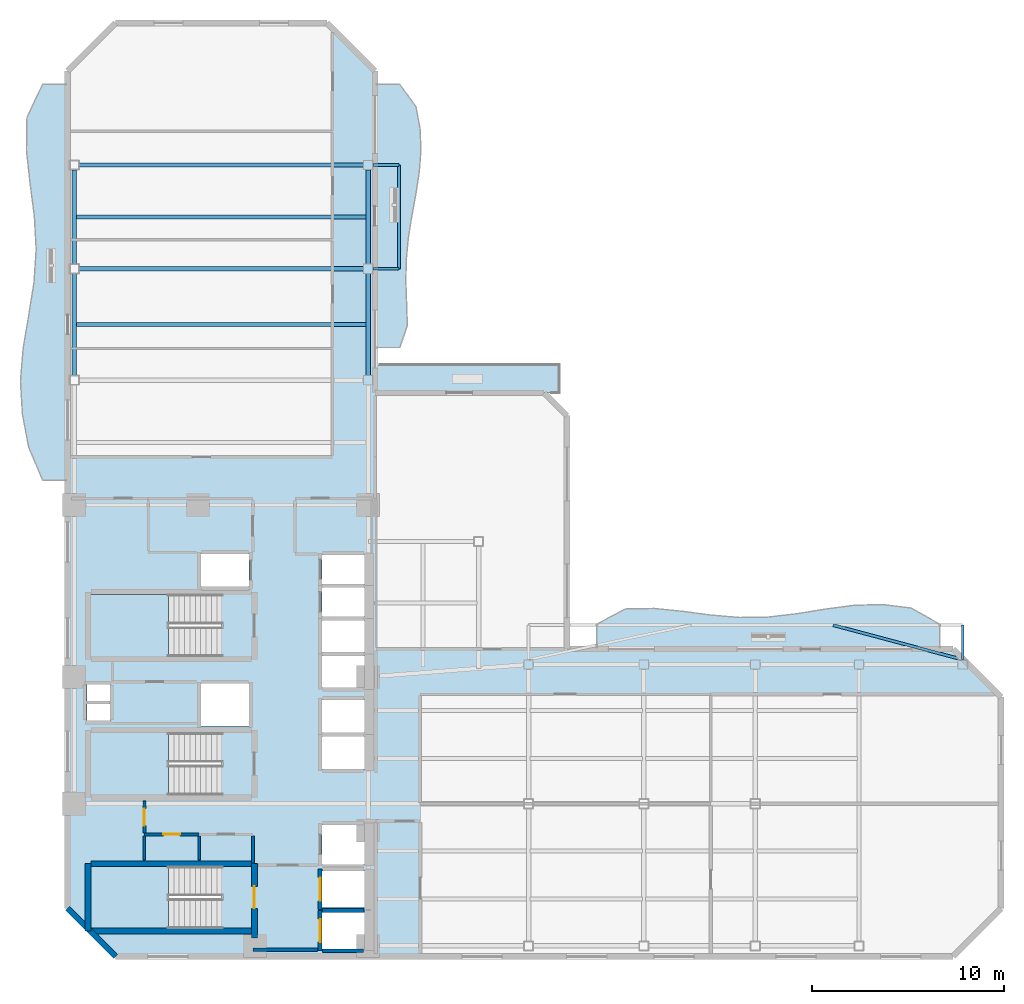
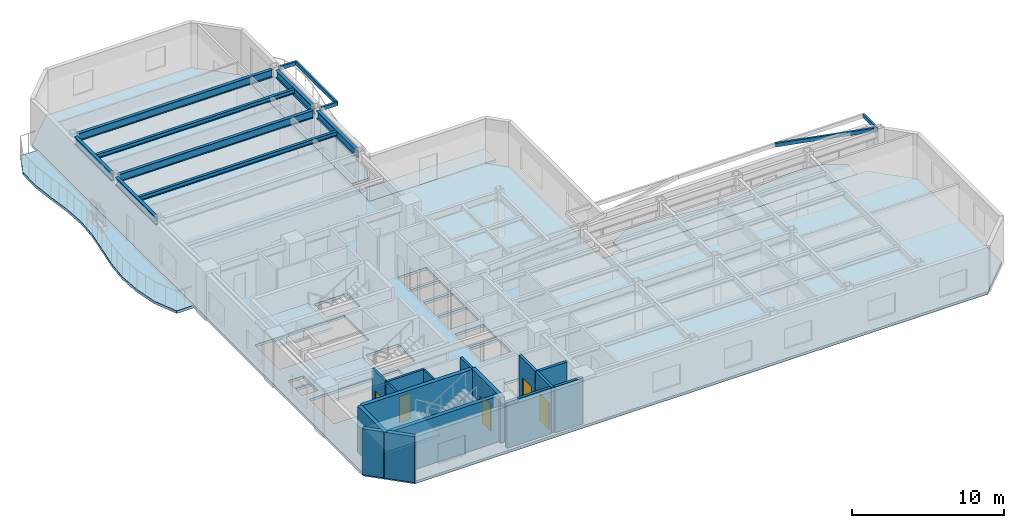
# One storey, part 2 of 9: 15 walls, 13 beams, 8 slabs, 5 doors, 5 openings, 3 elements without a shape of their own.
"""IFC4 building model written with IfcOpenShell, lengths in metres."""

from ifc_helpers import new_model, si_unit, direction, frame, frame_2d, origin, origin_2d, place, context, subcontext, project, spatial, polyline, rectangle, hollow_rectangle, i_section, outline, extrude, material, layer, layer_set, material_profile, profile_set, type_object, element, fill, aggregate, save


model = new_model("IFC4")

# Units and contexts
model_context = context("Model", 3, precision=1e-05, world=origin(), true_north=direction((0.0, 1.0)))
body_context = subcontext(model_context, "Body", "Model", "MODEL_VIEW")
ifc_project = project(units=[si_unit("LENGTHUNIT", "METRE"), si_unit("AREAUNIT", "SQUARE_METRE"), si_unit("VOLUMEUNIT", "CUBIC_METRE"), si_unit("PLANEANGLEUNIT", "RADIAN"), si_unit("MASSUNIT", "GRAM", prefix="KILO")], contexts=[model_context])

# Site, building, storey
site_placement = place(None, origin())
site = spatial("IfcSite", under=ifc_project, at=site_placement, CompositionType="ELEMENT")
building_placement = place(site_placement, origin())
building = spatial("IfcBuilding", under=site, at=building_placement, Name="Mawjaban Terraces University", CompositionType="ELEMENT")
storey_placement = place(building_placement, frame((0.0, 0.0, 115.10009765625)))
storey = spatial("IfcBuildingStorey", under=building, at=storey_placement, Name="L27", CompositionType="ELEMENT", Elevation=115.10009765625)

# Beams
ifc_material_1 = material(Name="Steel EN 10210-1 S355J2H", Category="steel")
ifc_material_profile_1 = material_profile(ifc_material_1, hollow_rectangle(XDim=0.14990234375, YDim=0.300048828125, WallThickness=0.012451171875, at=origin_2d()), Name="RHS300X150X12.5")
ifc_profile_set_1 = profile_set([ifc_material_profile_1], Name="Steel EN 10210-1 S355J2H")
beam_type_1 = type_object("IfcBeamType", Name="BalconyCantileverSpandrel_RHS", PredefinedType="SPANDREL", material=ifc_profile_set_1)
beam_1_placement = place(storey_placement, frame((68.60009765625, 15.449951171875, 3.539794921875), z_axis=(0.0, 1.0, 0.0), x_axis=(-1.0, 0.0, 0.0)))
element("IfcBeam", 1, at=beam_1_placement, inside=storey, type_object=beam_type_1, Name="L27 Exterior Outrigger BAL-L28-N.2", PredefinedType="SPANDREL", context=body_context, shape_type="SweptSolid", body=[
    extrude(hollow_rectangle(XDim=0.14990234375, YDim=0.300048828125, WallThickness=0.012451171875, at=origin_2d()), origin(), (0.0, 0.0, 1.0), 1.800048828125),
])
beam_2_placement = place(storey_placement, frame((68.60009765625, 15.449951171875, 3.539794921875), z_axis=(-0.966223916386, 0.257703984066, 0.0), x_axis=(-0.257703984066, -0.966223916386, 0.0)))
element("IfcBeam", 2, at=beam_2_placement, inside=storey, type_object=beam_type_1, Name="L27 Exterior Diagonal Strut BAL-L28-N.2", PredefinedType="SPANDREL", context=body_context, shape_type="SweptSolid", body=[
    extrude(hollow_rectangle(XDim=0.14990234375, YDim=0.300048828125, WallThickness=0.012451171875, at=origin_2d()), origin(), (0.0, 0.0, 1.0), 6.98486328125),
])
for number, where, z_axis, x_axis, name in (
    (3, (37.89990234375, 35.800048828125, 3.539794921875), (1.0, 0.0, 0.0), (0.0, 1.0, 0.0), "L27 Exterior Outrigger BAL-L28-E.1"),
    (4, (37.89990234375, 41.199951171875, 3.539794921875), (1.0, 0.0, 0.0), (0.0, 1.0, 0.0), "L27 Exterior Outrigger BAL-L28-E.2"),
):
    element("IfcBeam", number, at=place(storey_placement, frame(where, z_axis=z_axis, x_axis=x_axis)), inside=storey, type_object=beam_type_1, Name=name, PredefinedType="SPANDREL", context=body_context, shape_type="SweptSolid", body=[
        extrude(hollow_rectangle(XDim=0.14990234375, YDim=0.300048828125, WallThickness=0.012451171875, at=origin_2d()), origin(), (0.0, 0.0, 1.0), 1.35009765625),
    ])
beam_3_placement = place(storey_placement, frame((39.25, 35.800048828125, 3.539794921875), z_axis=(0.0, 1.0, 0.0), x_axis=(-1.0, 0.0, 0.0)))
element("IfcBeam", 5, at=beam_3_placement, inside=storey, type_object=beam_type_1, Name="L27 Exterior Edge Spandrel BAL-L28-E", PredefinedType="SPANDREL", context=body_context, shape_type="SweptSolid", body=[
    extrude(hollow_rectangle(XDim=0.14990234375, YDim=0.300048828125, WallThickness=0.012451171875, at=origin_2d()), origin(), (0.0, 0.0, 1.0), 5.39990234375),
])
ifc_material_2 = material(Name="Steel ASTM A572 Grade 50", Category="steel")
ifc_material_profile_2 = material_profile(ifc_material_2, i_section(OverallWidth=0.22998046875, OverallDepth=0.616943359375, WebThickness=0.01318359375, FlangeThickness=0.022216796875, at=origin_2d()), Name="W610X140")
ifc_profile_set_2 = profile_set([ifc_material_profile_2], Name="Steel ASTM A572 Grade 50")
beam_type_2 = type_object("IfcBeamType", Name="Beam_B_W610X140", PredefinedType="BEAM", material=ifc_profile_set_2)
for number, where, z_axis, x_axis, name in (
    (6, (22.60009765625, 35.800048828125, 3.3818359375), (1.0, 0.0, 0.0), (0.0, 1.0, 0.0), "L27 Beam BM-L27-EW-15"),
    (7, (22.60009765625, 41.199951171875, 3.3818359375), (1.0, 0.0, 0.0), (0.0, 1.0, 0.0), "L27 Beam BM-L27-EW-16"),
):
    element("IfcBeam", number, at=place(storey_placement, frame(where, z_axis=z_axis, x_axis=x_axis)), inside=storey, type_object=beam_type_2, Name=name, PredefinedType="BEAM", context=body_context, shape_type="SweptSolid", body=[
        extrude(i_section(OverallWidth=0.22998046875, OverallDepth=0.616943359375, WebThickness=0.01318359375, FlangeThickness=0.022216796875, at=origin_2d()), origin(), (0.0, 0.0, 1.0), 14.7998046875),
    ])
beam_4_placement = place(storey_placement, frame((22.35009765625, 30.25, 3.3818359375), z_axis=(0.0, 1.0, 0.0), x_axis=(-1.0, 0.0, 0.0)))
element("IfcBeam", 8, at=beam_4_placement, inside=storey, type_object=beam_type_2, Name="L27 Beam BM-L27-NS-04", PredefinedType="BEAM", context=body_context, shape_type="SweptSolid", body=[
    extrude(i_section(OverallWidth=0.22998046875, OverallDepth=0.616943359375, WebThickness=0.01318359375, FlangeThickness=0.022216796875, at=origin_2d()), origin(), (0.0, 0.0, 1.0), 5.300048828125),
])
beam_5_placement = place(storey_placement, frame((22.35009765625, 36.050048828125, 3.3818359375), z_axis=(0.0, 1.0, 0.0), x_axis=(-1.0, 0.0, 0.0)))
element("IfcBeam", 9, at=beam_5_placement, inside=storey, type_object=beam_type_2, Name="L27 Beam BM-L27-NS-05", PredefinedType="BEAM", context=body_context, shape_type="SweptSolid", body=[
    extrude(i_section(OverallWidth=0.22998046875, OverallDepth=0.616943359375, WebThickness=0.01318359375, FlangeThickness=0.022216796875, at=origin_2d()), origin(), (0.0, 0.0, 1.0), 4.89990234375),
])
beam_6_placement = place(storey_placement, frame((37.64990234375, 30.25, 3.3818359375), z_axis=(0.0, 1.0, 0.0), x_axis=(-1.0, 0.0, 0.0)))
element("IfcBeam", 10, at=beam_6_placement, inside=storey, type_object=beam_type_2, Name="L27 Beam BM-L27-NS-10", PredefinedType="BEAM", context=body_context, shape_type="SweptSolid", body=[
    extrude(i_section(OverallWidth=0.22998046875, OverallDepth=0.616943359375, WebThickness=0.01318359375, FlangeThickness=0.022216796875, at=origin_2d()), origin(), (0.0, 0.0, 1.0), 5.300048828125),
])
beam_7_placement = place(storey_placement, frame((37.64990234375, 36.050048828125, 3.3818359375), z_axis=(0.0, 1.0, 0.0), x_axis=(-1.0, 0.0, 0.0)))
element("IfcBeam", 11, at=beam_7_placement, inside=storey, type_object=beam_type_2, Name="L27 Beam BM-L27-NS-11", PredefinedType="BEAM", context=body_context, shape_type="SweptSolid", body=[
    extrude(i_section(OverallWidth=0.22998046875, OverallDepth=0.616943359375, WebThickness=0.01318359375, FlangeThickness=0.022216796875, at=origin_2d()), origin(), (0.0, 0.0, 1.0), 4.89990234375),
])
ifc_material_profile_3 = material_profile(ifc_material_2, i_section(OverallWidth=0.202880859375, OverallDepth=0.346923828125, WebThickness=0.0078125, FlangeThickness=0.013427734375, at=origin_2d()), Name="W360X64")
ifc_profile_set_3 = profile_set([ifc_material_profile_3], Name="Steel ASTM A572 Grade 50")
beam_type_3 = type_object("IfcBeamType", Name="Beam_J_W360X64", PredefinedType="JOIST", material=ifc_profile_set_3)
for number, where, z_axis, x_axis, name in (
    (12, (22.429931640625, 32.89990234375, 3.516845703125), (1.0, 0.0, 0.0), (0.0, 1.0, 0.0), "L27 Composite Joist JST-L27-19"),
    (13, (22.429931640625, 38.5, 3.516845703125), (1.0, 0.0, 0.0), (0.0, 1.0, 0.0), "L27 Composite Joist JST-L27-20"),
):
    element("IfcBeam", number, at=place(storey_placement, frame(where, z_axis=z_axis, x_axis=x_axis)), inside=storey, type_object=beam_type_3, Name=name, PredefinedType="JOIST", context=body_context, shape_type="SweptSolid", body=[
        extrude(i_section(OverallWidth=0.202880859375, OverallDepth=0.346923828125, WebThickness=0.0078125, FlangeThickness=0.013427734375, at=origin_2d()), origin(), (0.0, 0.0, 1.0), 15.14013671875),
    ])

# Slabs
ifc_material_3 = material(Name="Concrete C40/50", Category="concrete")
ifc_layer_1 = layer(ifc_material_3, 0.2099609375)
ifc_layer_set_1 = layer_set([ifc_layer_1], Name="Concrete C40/50")
slab_type_1 = type_object("IfcSlabType", Name="BalconySlab_210_Ext", PredefinedType="FLOOR", material=ifc_layer_set_1)
slab_1_placement = place(storey_placement, frame((0.0, 0.0, -0.210205078125)))
element("IfcSlab", 14, at=slab_1_placement, inside=storey, type_object=slab_type_1, Name="L27 Planted Balcony Slab west", PredefinedType="FLOOR", context=body_context, shape_type="SweptSolid", body=[
    extrude(outline(polyline([(22.010009765625, 24.800048828125), (22.010009765625, 45.39990234375), (20.699951171875, 45.39990234375), (19.888916015625, 43.68310546875), (19.862060546875, 41.967041015625), (20.049072265625, 40.25), (20.27197265625, 38.532958984375), (20.366943359375, 36.81689453125), (20.25390625, 35.10009765625), (19.97998046875, 33.383056640625), (19.68994140625, 31.6669921875), (19.549072265625, 29.949951171875), (19.65087890625, 28.23291015625), (19.97705078125, 26.51708984375), (20.699951171875, 24.800048828125), (22.010009765625, 24.800048828125)])), origin(), (0.0, 0.0, 1.0), 0.210205078125),
])
slab_2_placement = place(storey_placement, frame((0.0, 0.0, -0.210205078125)))
element("IfcSlab", 15, at=slab_2_placement, inside=storey, type_object=slab_type_1, Name="L27 Planted Balcony Slab inner_north", PredefinedType="FLOOR", context=body_context, shape_type="SweptSolid", body=[
    extrude(outline(polyline([(49.555908203125, 15.989990234375), (67.39990234375, 15.989990234375), (67.39990234375, 17.300048828125), (65.9130859375, 18.137939453125), (64.426025390625, 18.321044921875), (62.93896484375, 18.279052734375), (61.451904296875, 18.0830078125), (59.965087890625, 17.841064453125), (58.47802734375, 17.669921875), (56.990966796875, 17.64599609375), (55.50390625, 17.76904296875), (54.01708984375, 17.967041015625), (52.530029296875, 18.117919921875), (51.04296875, 18.089111328125), (49.555908203125, 17.300048828125), (49.555908203125, 15.989990234375)])), origin(), (0.0, 0.0, 1.0), 0.210205078125),
])
slab_3_placement = place(storey_placement, frame((0.0, 0.0, -0.210205078125)))
element("IfcSlab", 16, at=slab_3_placement, inside=storey, type_object=slab_type_1, Name="L27 Planted Balcony Slab inner_east", PredefinedType="FLOOR", context=body_context, shape_type="SweptSolid", body=[
    extrude(outline(polyline([(39.300048828125, 31.699951171875), (39.68896484375, 32.842041015625), (39.652099609375, 33.98291015625), (39.610107421875, 35.125), (39.633056640625, 36.26708984375), (39.741943359375, 37.407958984375), (39.923095703125, 38.550048828125), (40.132080078125, 39.69189453125), (40.31005859375, 40.8330078125), (40.39697265625, 41.97509765625), (40.34912109375, 43.116943359375), (40.134033203125, 44.258056640625), (39.300048828125, 45.39990234375), (37.989990234375, 45.39990234375), (37.989990234375, 31.699951171875), (39.300048828125, 31.699951171875)])), origin(), (0.0, 0.0, 1.0), 0.210205078125),
])
ifc_layer_2 = layer(ifc_material_3, 0.2099609375)
ifc_layer_set_2 = layer_set([ifc_layer_2], Name="Concrete C40/50")
slab_type_2 = type_object("IfcSlabType", Name="CompositeSlab_210", PredefinedType="FLOOR", material=ifc_layer_set_2)
slab_4_placement = place(storey_placement, frame((0.0, 0.0, -0.210205078125)))
element("IfcSlab", 17, at=slab_4_placement, inside=storey, type_object=slab_type_2, Name="L27 Primary Structural Slab", PredefinedType="FLOOR", context=body_context, shape_type="SweptSolid", body=[
    extrude(outline(polyline([(24.5, 0.0), (68.10009765625, 0.0), (70.60009765625, 2.5), (70.60009765625, 13.5), (68.10009765625, 16.0), (48.00390625, 16.0), (48.00390625, 28.14990234375), (46.803955078125, 29.35009765625), (38.0, 29.35009765625), (38.0, 46.10009765625), (35.5, 48.60009765625), (24.5, 48.60009765625), (22.0, 46.10009765625), (22.0, 2.5), (24.5, 0.0)]), holes=[polyline([(30.014892578125, 4.699951171875), (23.199951171875, 4.699951171875), (23.199951171875, 1.449951171875), (30.014892578125, 1.449951171875), (30.014892578125, 4.699951171875)]), polyline([(30.014892578125, 18.85009765625), (23.199951171875, 18.85009765625), (23.199951171875, 15.60009765625), (30.014892578125, 15.60009765625), (30.014892578125, 18.85009765625)]), polyline([(30.014892578125, 11.64990234375), (23.199951171875, 11.64990234375), (23.199951171875, 8.39990234375), (30.014892578125, 8.39990234375), (30.014892578125, 11.64990234375)]), polyline([(35.25, 0.39990234375), (37.449951171875, 0.39990234375), (37.449951171875, 2.300048828125), (35.25, 2.300048828125), (35.25, 0.39990234375)]), polyline([(35.25, 2.550048828125), (37.449951171875, 2.550048828125), (37.449951171875, 4.449951171875), (35.25, 4.449951171875), (35.25, 2.550048828125)]), polyline([(35.25, 4.800048828125), (37.449951171875, 4.800048828125), (37.449951171875, 6.85009765625), (35.25, 6.85009765625), (35.25, 4.800048828125)]), polyline([(35.25, 9.75), (37.449951171875, 9.75), (37.449951171875, 11.449951171875), (35.25, 11.449951171875), (35.25, 9.75)]), polyline([(35.25, 11.64990234375), (37.449951171875, 11.64990234375), (37.449951171875, 13.35009765625), (35.25, 13.35009765625), (35.25, 11.64990234375)]), polyline([(28.949951171875, 12.0), (31.449951171875, 12.0), (31.449951171875, 14.199951171875), (28.949951171875, 14.199951171875), (28.949951171875, 12.0)]), polyline([(35.25, 14.0), (37.449951171875, 14.0), (37.449951171875, 15.64990234375), (35.25, 15.64990234375), (35.25, 14.0)]), polyline([(35.25, 15.85009765625), (37.449951171875, 15.85009765625), (37.449951171875, 17.5), (35.25, 17.5), (35.25, 15.85009765625)]), polyline([(35.25, 17.699951171875), (37.449951171875, 17.699951171875), (37.449951171875, 19.199951171875), (35.25, 19.199951171875), (35.25, 17.699951171875)]), polyline([(35.25, 19.39990234375), (37.449951171875, 19.39990234375), (37.449951171875, 20.89990234375), (35.25, 20.89990234375), (35.25, 19.39990234375)]), polyline([(28.949951171875, 19.25), (31.449951171875, 19.25), (31.449951171875, 20.949951171875), (28.949951171875, 20.949951171875), (28.949951171875, 19.25)]), polyline([(23.0, 12.25), (24.199951171875, 12.25), (24.199951171875, 13.14990234375), (23.0, 13.14990234375), (23.0, 12.25)]), polyline([(23.0, 13.300048828125), (24.199951171875, 13.300048828125), (24.199951171875, 14.179931640625), (23.0, 14.179931640625), (23.0, 13.300048828125)])]), origin(), (0.0, 0.0, 1.0), 0.210205078125),
])

# Stair, slab
stair_type = type_object("IfcStairType", Name="Stair_Core1550_H39", PredefinedType="HALF_TURN_STAIR", material=ifc_material_3)
stair_1_placement = place(storey_placement, origin())
stair_1 = element("IfcStair", 18, at=stair_1_placement, inside=storey, type_object=stair_type, Name="L27 Core Exit Stair 1", PredefinedType="HALF_TURN_STAIR")
ifc_layer_3 = layer(ifc_material_3, 0.199951171875)
ifc_layer_set_3 = layer_set([ifc_layer_3], Name="Concrete C40/50")
slab_type_3 = type_object("IfcSlabType", Name="StairLandingSlab_200", PredefinedType="LANDING", material=ifc_layer_set_3)
slab_5_placement = place(storey_placement, frame((0.0, 0.0, 1.75)))
slab_5 = element("IfcSlab", 19, at=slab_5_placement, type_object=slab_type_3, Name="ST-1 landing 1", PredefinedType="LANDING", context=body_context, shape_type="SweptSolid", body=[
    extrude(outline(polyline([(27.25, 4.699951171875), (23.199951171875, 4.699951171875), (23.199951171875, 1.449951171875), (27.25, 1.449951171875), (27.25, 4.699951171875)])), origin(), (0.0, 0.0, 1.0), 0.199951171875),
])
aggregate(stair_1, [slab_5])

stair_2_placement = place(storey_placement, origin())
stair_2 = element("IfcStair", 20, at=stair_2_placement, inside=storey, type_object=stair_type, Name="L27 Core Exit Stair 2", PredefinedType="HALF_TURN_STAIR")
slab_6_placement = place(storey_placement, frame((0.0, 0.0, 1.75)))
slab_6 = element("IfcSlab", 21, at=slab_6_placement, type_object=slab_type_3, Name="ST-2 landing 1", PredefinedType="LANDING", context=body_context, shape_type="SweptSolid", body=[
    extrude(outline(polyline([(27.25, 18.85009765625), (23.199951171875, 18.85009765625), (23.199951171875, 15.60009765625), (27.25, 15.60009765625), (27.25, 18.85009765625)])), origin(), (0.0, 0.0, 1.0), 0.199951171875),
])
aggregate(stair_2, [slab_6])

stair_3_placement = place(storey_placement, origin())
stair_3 = element("IfcStair", 22, at=stair_3_placement, inside=storey, type_object=stair_type, Name="L27 Core Exit Stair 3", PredefinedType="HALF_TURN_STAIR")
slab_7_placement = place(storey_placement, frame((0.0, 0.0, 1.75)))
slab_7 = element("IfcSlab", 23, at=slab_7_placement, type_object=slab_type_3, Name="ST-3 landing 1", PredefinedType="LANDING", context=body_context, shape_type="SweptSolid", body=[
    extrude(outline(polyline([(27.25, 11.64990234375), (23.199951171875, 11.64990234375), (23.199951171875, 8.39990234375), (27.25, 8.39990234375), (27.25, 11.64990234375)])), origin(), (0.0, 0.0, 1.0), 0.199951171875),
])
aggregate(stair_3, [slab_7])

# Slab
ifc_layer_4 = layer(ifc_material_3, 0.2099609375)
ifc_layer_set_4 = layer_set([ifc_layer_4], Name="Concrete C40/50")
slab_type_4 = type_object("IfcSlabType", Name="StudyTerraceSlab_210_Ext", PredefinedType="FLOOR", material=ifc_layer_set_4)
slab_8_placement = place(storey_placement, frame((0.0, 0.0, -0.210205078125)))
element("IfcSlab", 24, at=slab_8_placement, inside=storey, type_object=slab_type_4, Name="L27 Exterior Study Terrace Slab", PredefinedType="FLOOR", context=body_context, shape_type="SweptSolid", body=[
    extrude(outline(polyline([(38.0, 29.35009765625), (47.60400390625, 29.35009765625), (47.60400390625, 30.800048828125), (38.0, 30.800048828125), (38.0, 29.35009765625)])), origin(), (0.0, 0.0, 1.0), 0.210205078125),
])

# Wall, opening, door
ifc_material_4 = material(Name="Fire-rated gypsum board on steel stud", Category="steel")
ifc_layer_5 = layer(ifc_material_4, 0.159912109375)
ifc_layer_set_5 = layer_set([ifc_layer_5], Name="Fire-rated gypsum board on steel stud")
wall_type_1 = type_object("IfcWallType", Name="CorridorPartition_160", PredefinedType="PARTITIONING", material=ifc_layer_set_5)
wall_1_placement = place(storey_placement, frame((26.0, 6.35009765625, 0.0), z_axis=(0.0, 0.0, 1.0), x_axis=(1.0, 0.0, 0.0)))
wall_1 = element("IfcWall", 25, at=wall_1_placement, inside=storey, type_object=wall_type_1, Name="L27 Core Washroom Lobby Partition 3", PredefinedType="PARTITIONING", context=body_context, shape_type="SweptSolid", body=[
    extrude(rectangle(XDim=2.85009765625, YDim=0.159912109375, at=frame_2d((1.425048828125, 0.0))), origin(), (0.0, 0.0, 1.0), 3.68994140625),
])
opening_1_placement = place(wall_1_placement, frame((0.985107421875, 0.0, 0.0)))
opening_1 = element("IfcOpeningElement", 26, at=opening_1_placement, cuts=wall_1, Name="Opening ID-088", PredefinedType="OPENING", context=body_context, shape_type="SweptSolid", body=[
    extrude(rectangle(XDim=0.8798828125, YDim=2.10009765625, at=frame_2d((0.43994140625, 1.050048828125))), frame((0.0, 0.08984375, 0.0), z_axis=(0.0, -1.0, 0.0), x_axis=(1.0, 0.0, 0.0)), (0.0, 0.0, 1.0), 0.179931640625),
])
ifc_material_5 = material(Name="Powder-coated steel frame and solid acoustic timber leaf", Category="steel")
door_type_1 = type_object("IfcDoorType", Name="ToiletDoor_880x2100", OperationType="NOTDEFINED", PredefinedType="DOOR", material=ifc_material_5)
door_1_placement = place(opening_1_placement, origin())
door_1 = element("IfcDoor", 27, at=door_1_placement, inside=storey, type_object=door_type_1, Name="L27 Male Toilet Door", OperationType="SINGLE_SWING_RIGHT", OverallHeight=2.10009765625, OverallWidth=0.8798828125, PredefinedType="DOOR", context=body_context, shape_type="SweptSolid", body=[
    extrude(rectangle(XDim=0.8798828125, YDim=2.10009765625, at=frame_2d((0.43994140625, 1.050048828125))), frame((0.0, 0.02490234375, 0.0), z_axis=(0.0, -1.0, 0.0), x_axis=(1.0, 0.0, 0.0)), (0.0, 0.0, 1.0), 0.050048828125),
])
fill(opening_1, door_1)

wall_2_placement = place(storey_placement, frame((26.0, 8.090087890625, 0.0), z_axis=(0.0, 0.0, 1.0), x_axis=(0.0, -1.0, 0.0)))
wall_2 = element("IfcWall", 28, at=wall_2_placement, inside=storey, type_object=wall_type_1, Name="L27 Core Washroom Lobby Partition 25", PredefinedType="PARTITIONING", context=body_context, shape_type="SweptSolid", body=[
    extrude(rectangle(XDim=1.6650390625, YDim=0.159912109375, at=frame_2d((0.83251953125, 0.0))), origin(), (0.0, 0.0, 1.0), 3.68994140625),
])
opening_2_placement = place(wall_2_placement, frame((0.39306640625, 0.0, 0.0)))
opening_2 = element("IfcOpeningElement", 29, at=opening_2_placement, cuts=wall_2, Name="Opening ID-088", PredefinedType="OPENING", context=body_context, shape_type="SweptSolid", body=[
    extrude(rectangle(XDim=0.8798828125, YDim=2.10009765625, at=frame_2d((0.43994140625, 1.050048828125))), frame((0.0, 0.08984375, 0.0), z_axis=(0.0, -1.0, 0.0), x_axis=(1.0, 0.0, 0.0)), (0.0, 0.0, 1.0), 0.179931640625),
])
door_2_placement = place(opening_2_placement, origin())
door_2 = element("IfcDoor", 30, at=door_2_placement, inside=storey, type_object=door_type_1, Name="L27 Ablution Room Door", OperationType="SINGLE_SWING_LEFT", OverallHeight=2.10009765625, OverallWidth=0.8798828125, PredefinedType="DOOR", context=body_context, shape_type="SweptSolid", body=[
    extrude(rectangle(XDim=0.8798828125, YDim=2.10009765625, at=frame_2d((0.43994140625, 1.050048828125))), frame((0.0, 0.02490234375, 0.0), z_axis=(0.0, -1.0, 0.0), x_axis=(1.0, 0.0, 0.0)), (0.0, 0.0, 1.0), 0.050048828125),
])
fill(opening_2, door_2)

# Walls
wall_3_placement = place(storey_placement, frame((31.64990234375, 4.860107421875, 0.0), z_axis=(0.0, 0.0, 1.0), x_axis=(0.0, 1.0, 0.0)))
element("IfcWall", 31, at=wall_3_placement, inside=storey, type_object=wall_type_1, Name="L27 Accessible Toilet Partition 28", PredefinedType="PARTITIONING", context=body_context, shape_type="SweptSolid", body=[
    extrude(rectangle(XDim=1.414794921875, YDim=0.159912109375, at=frame_2d((0.70751953125, 0.0))), origin(), (0.0, 0.0, 1.0), 3.68994140625),
])
ifc_material_6 = material(Name="Insulated terracotta rainscreen on concrete backup C40/50", Category="masonry")
ifc_layer_6 = layer(ifc_material_6, 0.300048828125)
ifc_layer_set_6 = layer_set([ifc_layer_6], Name="Insulated terracotta rainscreen on concrete backup C40/50")
wall_type_2 = type_object("IfcWallType", Name="ExtTerracottaWall_300", PredefinedType="SOLIDWALL", material=ifc_layer_set_6)
wall_4_placement = place(storey_placement, frame((22.0, 2.5, 0.0), z_axis=(0.0, 0.0, 1.0), x_axis=(0.707106781187, -0.707106781187, 0.0)))
element("IfcWall", 32, at=wall_4_placement, inside=storey, type_object=wall_type_2, Name="L27 Exterior Terracotta Wall 14", PredefinedType="SOLIDWALL", context=body_context, shape_type="SweptSolid", body=[
    extrude(rectangle(XDim=3.53564453125, YDim=0.300048828125, at=frame_2d((1.767822265625, 0.0))), origin(), (0.0, 0.0, 1.0), 3.68994140625),
])

# Wall, opening, door
ifc_layer_7 = layer(ifc_material_3, 0.199951171875)
ifc_layer_set_7 = layer_set([ifc_layer_7], Name="Concrete C40/50")
wall_type_3 = type_object("IfcWallType", Name="FireLobbyWall_200", PredefinedType="SOLIDWALL", material=ifc_layer_set_7)
wall_5_placement = place(storey_placement, frame((35.14990234375, 2.39990234375, 0.0), z_axis=(0.0, 0.0, 1.0), x_axis=(0.0, -1.0, 0.0)))
wall_5 = element("IfcWall", 33, at=wall_5_placement, inside=storey, type_object=wall_type_3, Name="L27 Lift FL-1 Hoistway Wall West", PredefinedType="SOLIDWALL", context=body_context, shape_type="SweptSolid", body=[
    extrude(rectangle(XDim=2.099853515625, YDim=0.199951171875, at=frame_2d((1.0498046875, 0.0))), origin(), (0.0, 0.0, 1.0), 3.68994140625),
])
opening_3_placement = place(wall_5_placement, frame((0.449951171875, 0.0, 0.0)))
opening_3 = element("IfcOpeningElement", 34, at=opening_3_placement, cuts=wall_5, Name="Opening LD-FL-1", PredefinedType="OPENING", context=body_context, shape_type="SweptSolid", body=[
    extrude(rectangle(XDim=1.199951171875, YDim=2.14990234375, at=frame_2d((0.60009765625, 1.074951171875))), frame((0.0, 0.10986328125, 0.0), z_axis=(0.0, -1.0, 0.0), x_axis=(1.0, 0.0, 0.0)), (0.0, 0.0, 1.0), 0.219970703125),
])
ifc_material_7 = material(Name="Powder-coated steel frame and fire-rated steel-faced leaf", Category="steel")
door_type_2 = type_object("IfcDoorType", Name="LiftLandingFSAE_1200x2150", OperationType="NOTDEFINED", PredefinedType="DOOR", material=ifc_material_7)
door_3_placement = place(opening_3_placement, origin())
door_3 = element("IfcDoor", 35, at=door_3_placement, inside=storey, type_object=door_type_2, Name="L27 Lift FL-1 Sliding Landing Door", OperationType="DOUBLE_DOOR_SLIDING", OverallHeight=2.14990234375, OverallWidth=1.199951171875, PredefinedType="DOOR", context=body_context, shape_type="SweptSolid", body=[
    extrude(rectangle(XDim=1.199951171875, YDim=2.14990234375, at=frame_2d((0.60009765625, 1.074951171875))), frame((0.0, 0.02490234375, 0.0), z_axis=(0.0, -1.0, 0.0), x_axis=(1.0, 0.0, 0.0)), (0.0, 0.0, 1.0), 0.050048828125),
])
fill(opening_3, door_3)

# Walls
for number, where, z_axis, x_axis, name in (
    (36, (35.280029296875, 0.300048828125, 0.0), (0.0, 0.0, 1.0), (1.0, 0.0, 0.0), "L27 Lift FL-1 Hoistway Wall South"),
    (37, (37.419921875, 2.39990234375, 0.0), (0.0, 0.0, 1.0), (-1.0, 0.0, 0.0), "L27 Lift FL-1 Hoistway Wall North"),
):
    element("IfcWall", number, at=place(storey_placement, frame(where, z_axis=z_axis, x_axis=x_axis)), inside=storey, type_object=wall_type_3, Name=name, PredefinedType="SOLIDWALL", context=body_context, shape_type="SweptSolid", body=[
        extrude(rectangle(XDim=2.139892578125, YDim=0.199951171875, at=frame_2d((1.06982421875, 0.0))), origin(), (0.0, 0.0, 1.0), 3.68994140625),
    ])

# Wall, opening, door
wall_6_placement = place(storey_placement, frame((35.14990234375, 4.550048828125, 0.0), z_axis=(0.0, 0.0, 1.0), x_axis=(0.0, -1.0, 0.0)))
wall_6 = element("IfcWall", 38, at=wall_6_placement, inside=storey, type_object=wall_type_3, Name="L27 Lift FL-2 Hoistway Wall West", PredefinedType="SOLIDWALL", context=body_context, shape_type="SweptSolid", body=[
    extrude(rectangle(XDim=2.10009765625, YDim=0.199951171875, at=frame_2d((1.050048828125, 0.0))), origin(), (0.0, 0.0, 1.0), 3.68994140625),
])
opening_4_placement = place(wall_6_placement, frame((0.449951171875, 0.0, 0.0)))
opening_4 = element("IfcOpeningElement", 39, at=opening_4_placement, cuts=wall_6, Name="Opening LD-FL-2", PredefinedType="OPENING", context=body_context, shape_type="SweptSolid", body=[
    extrude(rectangle(XDim=1.199951171875, YDim=2.14990234375, at=frame_2d((0.60009765625, 1.074951171875))), frame((0.0, 0.10986328125, 0.0), z_axis=(0.0, -1.0, 0.0), x_axis=(1.0, 0.0, 0.0)), (0.0, 0.0, 1.0), 0.219970703125),
])
door_4_placement = place(opening_4_placement, origin())
door_4 = element("IfcDoor", 40, at=door_4_placement, inside=storey, type_object=door_type_2, Name="L27 Lift FL-2 Sliding Landing Door", OperationType="DOUBLE_DOOR_SLIDING", OverallHeight=2.14990234375, OverallWidth=1.199951171875, PredefinedType="DOOR", context=body_context, shape_type="SweptSolid", body=[
    extrude(rectangle(XDim=1.199951171875, YDim=2.14990234375, at=frame_2d((0.60009765625, 1.074951171875))), frame((0.0, 0.02490234375, 0.0), z_axis=(0.0, -1.0, 0.0), x_axis=(1.0, 0.0, 0.0)), (0.0, 0.0, 1.0), 0.050048828125),
])
fill(opening_4, door_4)

# Walls
wall_7_placement = place(storey_placement, frame((31.64990234375, 0.35009765625, 0.0), z_axis=(0.0, 0.0, 1.0), x_axis=(1.0, 0.0, 0.0)))
element("IfcWall", 41, at=wall_7_placement, inside=storey, type_object=wall_type_3, Name="L27 Firefighting Lift Lobby Partition 7", PredefinedType="SOLIDWALL", context=body_context, shape_type="SweptSolid", body=[
    extrude(rectangle(XDim=3.3701171875, YDim=0.199951171875, at=frame_2d((1.68505859375, 0.0))), origin(), (0.0, 0.0, 1.0), 3.68994140625),
])
ifc_material_8 = material(Name="Concrete C60/75", Category="concrete")
ifc_layer_8 = layer(ifc_material_8, 0.300048828125)
ifc_layer_set_8 = layer_set([ifc_layer_8], Name="Concrete C60/75")
wall_type_4 = type_object("IfcWallType", Name="StairShaftWall_300", PredefinedType="SHEAR", material=ifc_layer_set_8)
wall_8_placement = place(storey_placement, frame((31.580078125, 4.830078125, 0.0), z_axis=(0.0, 0.0, 1.0), x_axis=(-1.0, 0.0, 0.0)))
element("IfcWall", 42, at=wall_8_placement, inside=storey, type_object=wall_type_4, Name="L27 ST-1 Stair Shaft Wall 1", PredefinedType="SHEAR", context=body_context, shape_type="SweptSolid", body=[
    extrude(rectangle(XDim=8.360107421875, YDim=0.300048828125, at=frame_2d((4.18017578125, 0.0))), origin(), (0.0, 0.0, 1.0), 3.68994140625),
])
wall_9_placement = place(storey_placement, frame((23.070068359375, 4.830078125, 0.0), z_axis=(0.0, 0.0, 1.0), x_axis=(0.0, -1.0, 0.0)))
element("IfcWall", 43, at=wall_9_placement, inside=storey, type_object=wall_type_4, Name="L27 ST-1 Stair Shaft Wall 2", PredefinedType="SHEAR", context=body_context, shape_type="SweptSolid", body=[
    extrude(rectangle(XDim=3.510009765625, YDim=0.300048828125, at=frame_2d((1.7548828125, 0.0))), origin(), (0.0, 0.0, 1.0), 3.68994140625),
])
wall_10_placement = place(storey_placement, frame((23.219970703125, 1.320068359375, 0.0), z_axis=(0.0, 0.0, 1.0), x_axis=(1.0, 0.0, 0.0)))
element("IfcWall", 44, at=wall_10_placement, inside=storey, type_object=wall_type_4, Name="L27 ST-1 Stair Shaft Wall 3", PredefinedType="SHEAR", context=body_context, shape_type="SweptSolid", body=[
    extrude(rectangle(XDim=8.360107421875, YDim=0.300048828125, at=frame_2d((4.18017578125, 0.0))), origin(), (0.0, 0.0, 1.0), 3.68994140625),
])

# Wall, opening, door
wall_11_placement = place(storey_placement, frame((31.72998046875, 0.9599609375, 0.0), z_axis=(0.0, 0.0, 1.0), x_axis=(0.0, 1.0, 0.0)))
wall_11 = element("IfcWall", 45, at=wall_11_placement, inside=storey, type_object=wall_type_4, Name="L27 ST-1 Stair Shaft Wall 4", PredefinedType="SHEAR", context=body_context, shape_type="SweptSolid", body=[
    extrude(rectangle(XDim=3.8701171875, YDim=0.300048828125, at=frame_2d((1.93505859375, 0.0))), origin(), (0.0, 0.0, 1.0), 3.68994140625),
])
opening_5_placement = place(wall_11_placement, frame((1.5400390625, 0.0, 0.0)))
opening_5 = element("IfcOpeningElement", 46, at=opening_5_placement, cuts=wall_11, Name="Opening FD-115", PredefinedType="OPENING", context=body_context, shape_type="SweptSolid", body=[
    extrude(rectangle(XDim=1.14990234375, YDim=2.14990234375, at=frame_2d((0.574951171875, 1.074951171875))), frame((0.0, 0.159912109375, 0.0), z_axis=(0.0, -1.0, 0.0), x_axis=(1.0, 0.0, 0.0)), (0.0, 0.0, 1.0), 0.320068359375),
])
door_type_3 = type_object("IfcDoorType", Name="FireStairDoor_1150x2150", OperationType="NOTDEFINED", PredefinedType="DOOR", material=ifc_material_7)
door_5_placement = place(opening_5_placement, origin())
door_5 = element("IfcDoor", 47, at=door_5_placement, inside=storey, type_object=door_type_3, Name="L27 ST-1 Pressurised Stair Fire Door", OperationType="SINGLE_SWING_LEFT", OverallHeight=2.14990234375, OverallWidth=1.14990234375, PredefinedType="DOOR", context=body_context, shape_type="SweptSolid", body=[
    extrude(rectangle(XDim=1.14990234375, YDim=2.14990234375, at=frame_2d((0.574951171875, 1.074951171875))), frame((0.0, 0.02490234375, 0.0), z_axis=(0.0, -1.0, 0.0), x_axis=(1.0, 0.0, 0.0)), (0.0, 0.0, 1.0), 0.050048828125),
])
fill(opening_5, door_5)

# Walls
ifc_material_9 = material(Name="Cement-board wet-room partition", Category="masonry")
ifc_layer_9 = layer(ifc_material_9, 0.135009765625)
ifc_layer_set_9 = layer_set([ifc_layer_9], Name="Cement-board wet-room partition")
wall_type_5 = type_object("IfcWallType", Name="WetRoomPartition_135", PredefinedType="PARTITIONING", material=ifc_layer_set_9)
for number, where, z_axis, x_axis, name in (
    (48, (26.0, 5.010009765625, 0.0), (0.0, 0.0, 1.0), (0.0, 1.0, 0.0), "L27 Ablution Room Partition 24"),
    (49, (28.85009765625, 5.010009765625, 0.0), (0.0, 0.0, 1.0), (0.0, 1.0, 0.0), "L27 Male Toilet Partition 27"),
):
    element("IfcWall", number, at=place(storey_placement, frame(where, z_axis=z_axis, x_axis=x_axis)), inside=storey, type_object=wall_type_5, Name=name, PredefinedType="PARTITIONING", context=body_context, shape_type="SweptSolid", body=[
        extrude(rectangle(XDim=1.264892578125, YDim=0.135009765625, at=frame_2d((0.63232421875, 0.0))), origin(), (0.0, 0.0, 1.0), 3.68994140625),
    ])

save(model, "model.ifc")
